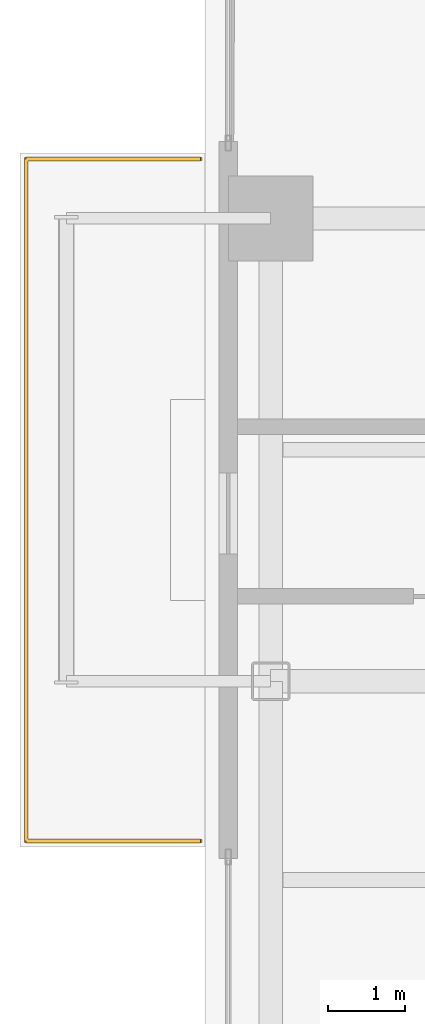
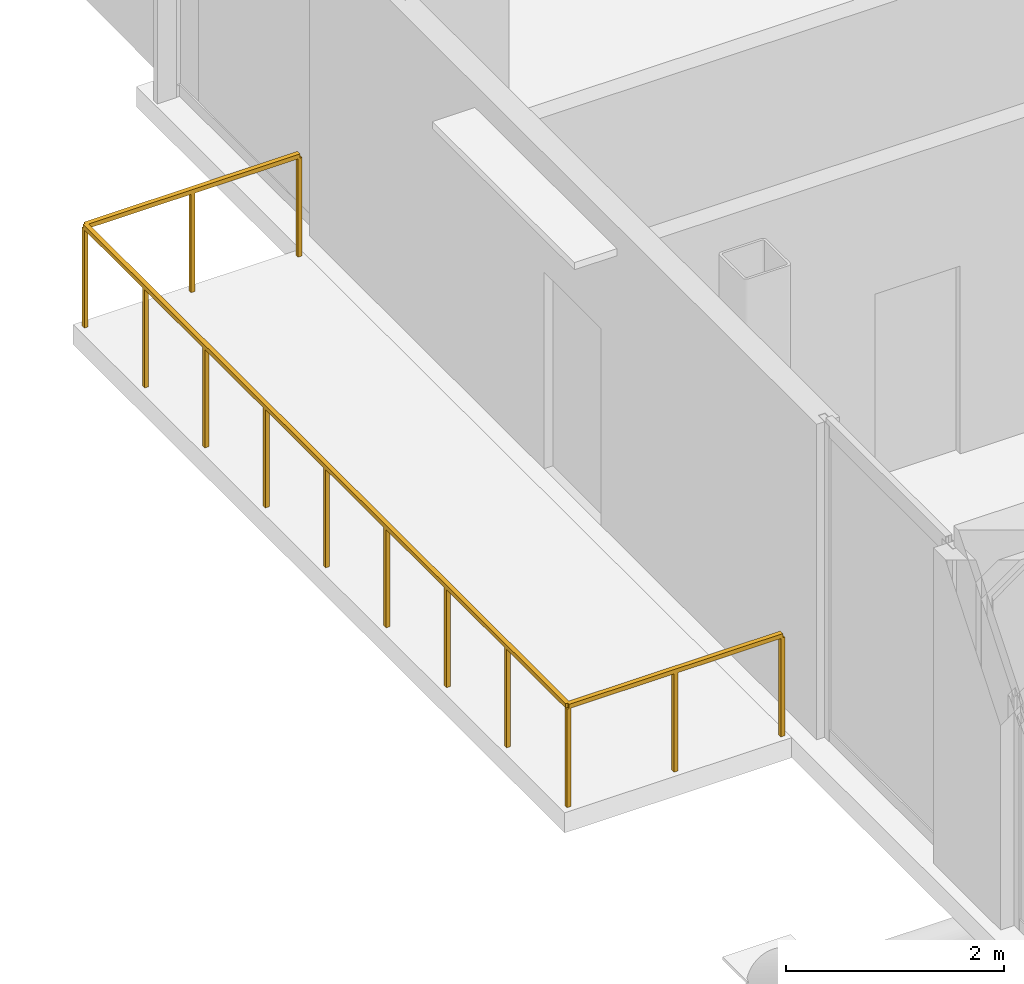
# One storey, part 28 of 28: 1 railing.
"""IFC4 building model written with IfcOpenShell, lengths in metres."""

from ifc_helpers import new_model, si_unit, direction, frame, origin, origin_2d, place, context, subcontext, project, spatial, rectangle, extrude, material, type_object, element, save


model = new_model("IFC4")

# Units and contexts
model_context = context("Model", 3, precision=1e-05, world=origin(), true_north=direction((0.0, 1.0)))
body_context = subcontext(model_context, "Body", "Model", "MODEL_VIEW")
ifc_project = project(units=[si_unit("LENGTHUNIT", "METRE"), si_unit("AREAUNIT", "SQUARE_METRE"), si_unit("VOLUMEUNIT", "CUBIC_METRE"), si_unit("PLANEANGLEUNIT", "RADIAN"), si_unit("MASSUNIT", "GRAM", prefix="KILO"), si_unit("THERMODYNAMICTEMPERATUREUNIT", "KELVIN"), si_unit("POWERUNIT", "WATT")], contexts=[model_context])

# Site, building, storey
site_placement = place(None, origin())
site = spatial("IfcSite", under=ifc_project, at=site_placement, CompositionType="ELEMENT")
building_placement = place(site_placement, origin())
building = spatial("IfcBuilding", under=site, at=building_placement, Name="Svarakhadi Broadcast Tower", CompositionType="ELEMENT")
storey_placement = place(building_placement, frame((0.0, 0.0, 138.14990234375)))
storey = spatial("IfcBuildingStorey", under=building, at=storey_placement, Name="L33", CompositionType="ELEMENT", Elevation=138.14990234375)

# Railing
ifc_material = material(Name="Laminated Structural SentryGlas Balustrade 25.5 mm", Category="glass")
railing_type = type_object("IfcRailingType", Name="Guard_Balcony_GR01", PredefinedType="BALUSTRADE", material=ifc_material)
railing_placement = place(storey_placement, frame((-0.06005859375, 27.080078125, 0.0)))
element("IfcRailing", 1, at=railing_placement, inside=storey, type_object=railing_type, Name="L33 West Tree Balcony Guard GR-05", PredefinedType="BALUSTRADE", context=body_context, shape_type="SweptSolid", body=[
    extrude(rectangle(XDim=0.048095703125, YDim=0.048095703125, at=origin_2d()), frame((0.0, 0.0, 1.1259765625), z_axis=(-1.0, 0.0, 0.0), x_axis=(0.0, -1.0, 0.0)), (0.0, 0.0, 1.0), 2.260009765625),
    extrude(rectangle(XDim=0.048095703125, YDim=0.048095703125, at=origin_2d()), frame((-2.260009765625, 0.0, 1.1259765625), z_axis=(0.0, 1.0, 0.0), x_axis=(-1.0, 0.0, 0.0)), (0.0, 0.0, 1.0), 8.83984375),
    extrude(rectangle(XDim=0.048095703125, YDim=0.048095703125, at=origin_2d()), frame((-2.260009765625, 8.83984375, 1.1259765625), z_axis=(1.0, 0.0, 0.0), x_axis=(0.0, 1.0, 0.0)), (0.0, 0.0, 1.0), 2.260009765625),
    extrude(rectangle(XDim=0.0419921875, YDim=0.0419921875, at=origin_2d()), origin(), (0.0, 0.0, 1.0), 1.101806640625),
    extrude(rectangle(XDim=0.0419921875, YDim=0.0419921875, at=origin_2d()), frame((-1.1298828125, 0.0, 0.0)), (0.0, 0.0, 1.0), 1.101806640625),
    extrude(rectangle(XDim=0.0419921875, YDim=0.0419921875, at=origin_2d()), frame((-2.260009765625, 0.0, 0.0)), (0.0, 0.0, 1.0), 1.101806640625),
    extrude(rectangle(XDim=0.0419921875, YDim=0.0419921875, at=origin_2d()), frame((-2.260009765625, 1.10498046875, 0.0)), (0.0, 0.0, 1.0), 1.101806640625),
    extrude(rectangle(XDim=0.0419921875, YDim=0.0419921875, at=origin_2d()), frame((-2.260009765625, 2.2099609375, 0.0)), (0.0, 0.0, 1.0), 1.101806640625),
    extrude(rectangle(XDim=0.0419921875, YDim=0.0419921875, at=origin_2d()), frame((-2.260009765625, 3.31494140625, 0.0)), (0.0, 0.0, 1.0), 1.101806640625),
    extrude(rectangle(XDim=0.0419921875, YDim=0.0419921875, at=origin_2d()), frame((-2.260009765625, 4.419921875, 0.0)), (0.0, 0.0, 1.0), 1.101806640625),
    extrude(rectangle(XDim=0.0419921875, YDim=0.0419921875, at=origin_2d()), frame((-2.260009765625, 5.52490234375, 0.0)), (0.0, 0.0, 1.0), 1.101806640625),
    extrude(rectangle(XDim=0.0419921875, YDim=0.0419921875, at=origin_2d()), frame((-2.260009765625, 6.6298828125, 0.0)), (0.0, 0.0, 1.0), 1.101806640625),
    extrude(rectangle(XDim=0.0419921875, YDim=0.0419921875, at=origin_2d()), frame((-2.260009765625, 7.73486328125, 0.0)), (0.0, 0.0, 1.0), 1.101806640625),
    extrude(rectangle(XDim=0.0419921875, YDim=0.0419921875, at=origin_2d()), frame((-2.260009765625, 8.83984375, 0.0)), (0.0, 0.0, 1.0), 1.101806640625),
    extrude(rectangle(XDim=0.0419921875, YDim=0.0419921875, at=origin_2d()), frame((-1.1298828125, 8.83984375, 0.0)), (0.0, 0.0, 1.0), 1.101806640625),
    extrude(rectangle(XDim=0.0419921875, YDim=0.0419921875, at=origin_2d()), frame((0.0, 8.83984375, 0.0)), (0.0, 0.0, 1.0), 1.101806640625),
])

save(model, "model.ifc")
